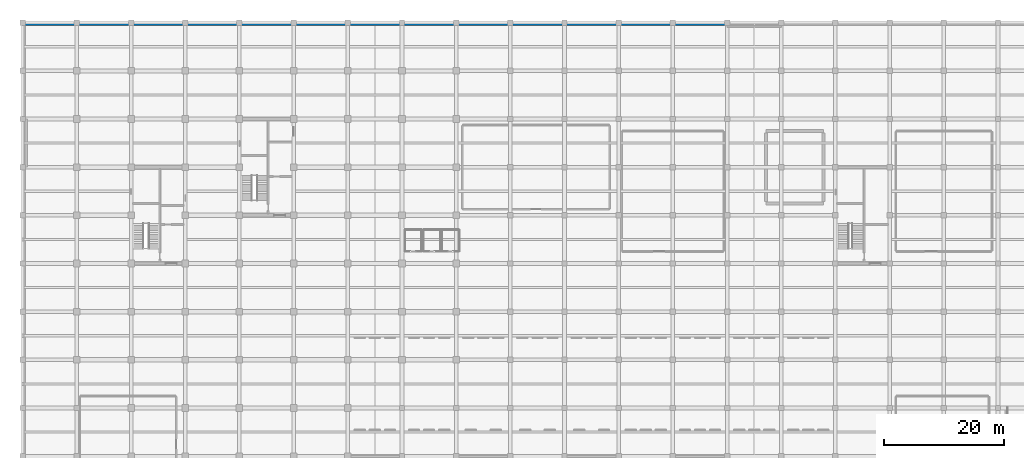
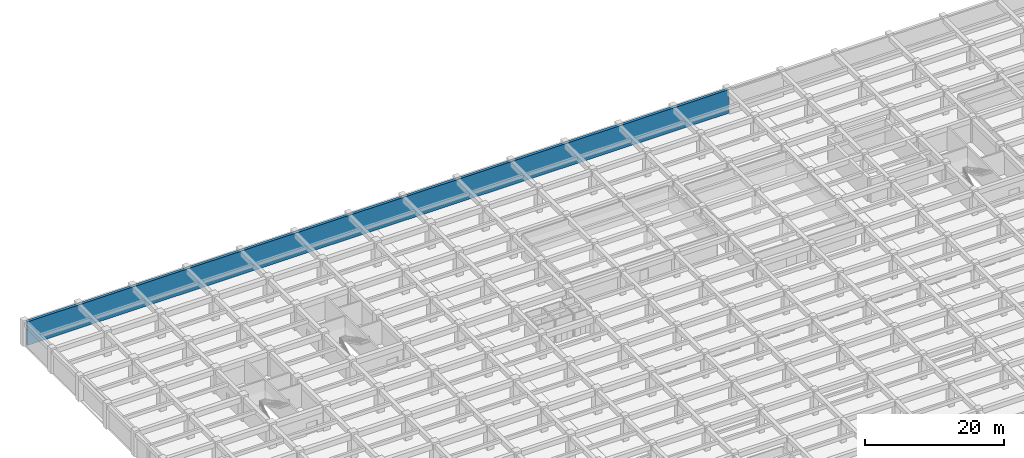
# One storey, part 14 of 26: 1 wall.
"""IFC4 building model written with IfcOpenShell, lengths in metres."""

from ifc_helpers import new_model, si_unit, direction, frame, frame_2d, origin, place, context, subcontext, project, spatial, rectangle, extrude, material, layer, layer_set, type_object, element, save


model = new_model("IFC4")

# Units and contexts
model_context = context("Model", 3, precision=1e-05, world=origin(), true_north=direction((0.0, 1.0)))
body_context = subcontext(model_context, "Body", "Model", "MODEL_VIEW")
ifc_project = project(units=[si_unit("LENGTHUNIT", "METRE"), si_unit("AREAUNIT", "SQUARE_METRE"), si_unit("VOLUMEUNIT", "CUBIC_METRE"), si_unit("PLANEANGLEUNIT", "RADIAN"), si_unit("MASSUNIT", "GRAM", prefix="KILO")], contexts=[model_context])

# Site, building, storey
site_placement = place(None, origin())
site = spatial("IfcSite", under=ifc_project, at=site_placement, CompositionType="ELEMENT")
building_placement = place(site_placement, origin())
building = spatial("IfcBuilding", under=site, at=building_placement, Name="Zaverband Oceanarium and Marine Research Institute", CompositionType="ELEMENT")
storey_placement = place(building_placement, frame((0.0, 0.0, -4.5)))
storey = spatial("IfcBuildingStorey", under=building, at=storey_placement, Name="B1", CompositionType="ELEMENT", Elevation=-4.5)

# Wall
ifc_material = material(Name="Concrete C45/55", Category="concrete")
ifc_layer = layer(ifc_material, 0.47998046875, Name="Concrete C45/55")
ifc_layer_set = layer_set([ifc_layer], Name="Concrete C45/55")
wall_type = type_object("IfcWallType", Name="RW-01", PredefinedType="SHEAR", material=ifc_layer_set)
wall_placement = place(storey_placement, frame((117.0, 119.75, 0.0), z_axis=(0.0, 0.0, 1.0), x_axis=(-1.0, 0.0, 0.0)))
element("IfcWall", 1, at=wall_placement, inside=storey, type_object=wall_type, Name="Basement retaining wall RW-01", PredefinedType="SHEAR", context=body_context, shape_type="SweptSolid", body=[
    extrude(rectangle(XDim=116.75, YDim=0.47998046875, at=frame_2d((58.375, 0.0))), origin(), (0.0, 0.0, 1.0), 4.14990234375),
])

save(model, "model.ifc")
